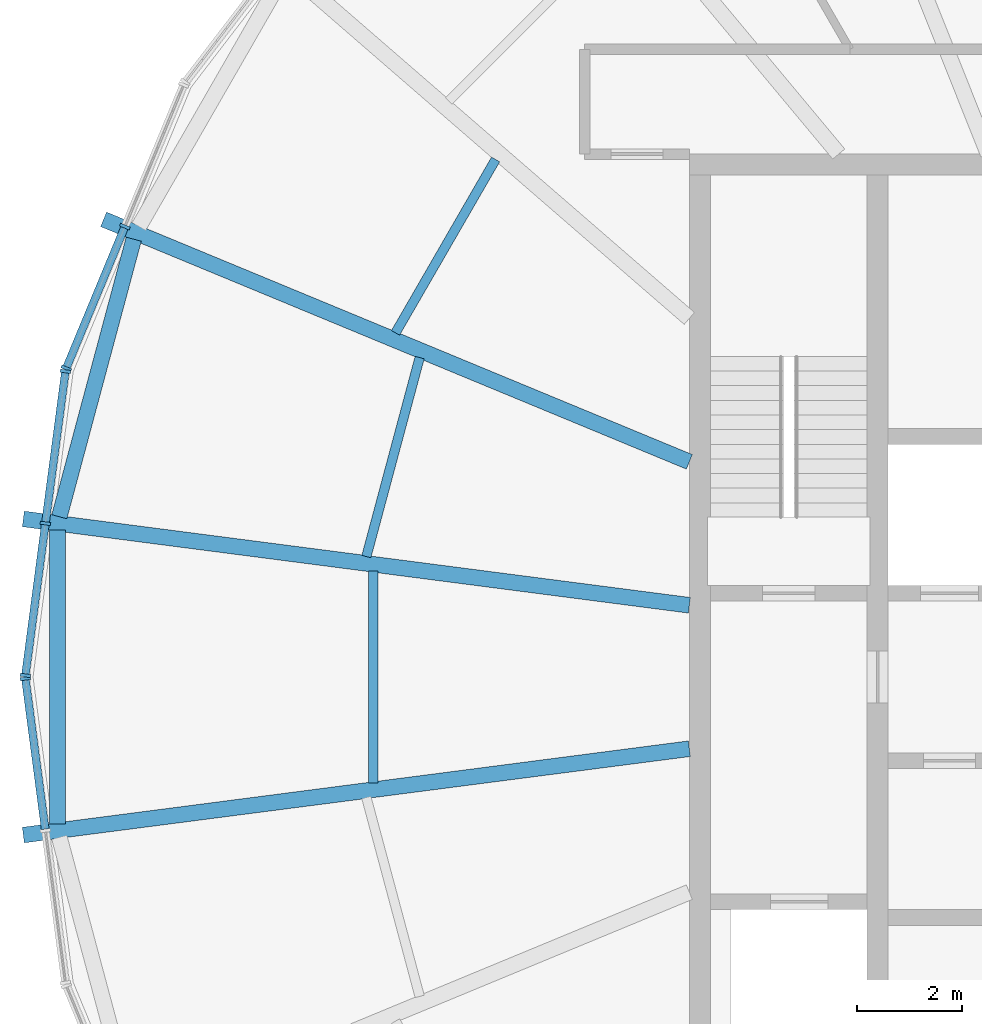
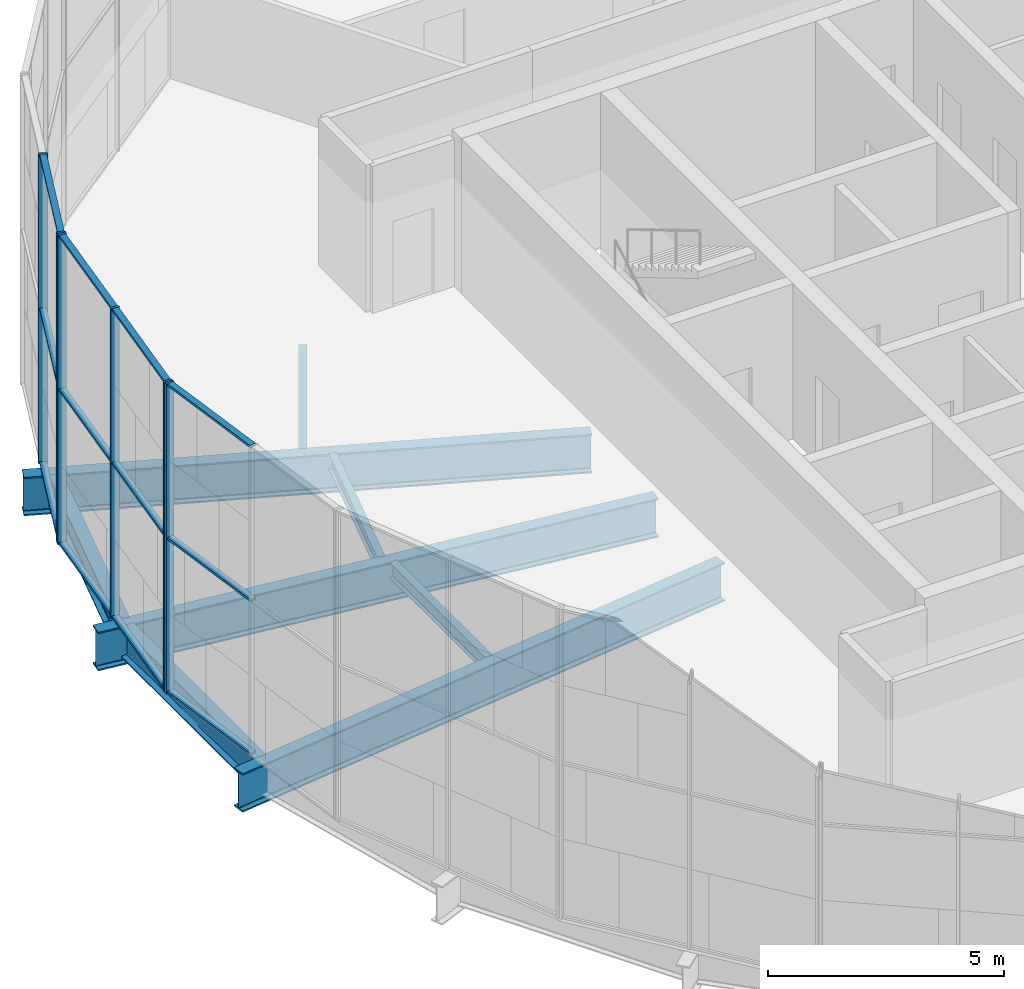
# One storey, part 3 of 19: 18 members, 8 beams, 3 elements without a shape of their own.
"""IFC4 building model written with IfcOpenShell, lengths in metres."""

from ifc_helpers import new_model, si_unit, direction, frame, origin, origin_2d, place, context, subcontext, project, spatial, rectangle, i_section, extrude, material, material_profile, profile_set, type_object, element, aggregate, save


model = new_model("IFC4")

# Units and contexts
model_context = context("Model", 3, precision=1e-05, world=origin(), true_north=direction((0.0, 1.0)))
body_context = subcontext(model_context, "Body", "Model", "MODEL_VIEW")
ifc_project = project(units=[si_unit("LENGTHUNIT", "METRE"), si_unit("AREAUNIT", "SQUARE_METRE"), si_unit("VOLUMEUNIT", "CUBIC_METRE"), si_unit("PLANEANGLEUNIT", "RADIAN"), si_unit("MASSUNIT", "GRAM", prefix="KILO")], contexts=[model_context])

# Site, building, storey
site_placement = place(None, origin())
site = spatial("IfcSite", under=ifc_project, at=site_placement, CompositionType="ELEMENT")
building_placement = place(site_placement, origin())
building = spatial("IfcBuilding", under=site, at=building_placement, Name="Golbaran Civic Tower", CompositionType="ELEMENT")
storey_placement = place(building_placement, frame((0.0, 0.0, 240.0)))
storey = spatial("IfcBuildingStorey", under=building, at=storey_placement, Name="L58", CompositionType="ELEMENT", Elevation=240.0)

# Beams
ifc_material_1 = material(Name="Steel S355", Category="steel")
ifc_material_profile_1 = material_profile(ifc_material_1, i_section(OverallWidth=0.300048828125, OverallDepth=0.800048828125, WebThickness=0.017578125, FlangeThickness=0.032958984375, FilletRadius=0.030029296875, at=origin_2d()), Name="HEB 800")
ifc_profile_set_1 = profile_set([ifc_material_profile_1], Name="Steel S355")
beam_type_1 = type_object("IfcBeamType", Name="EDGE BEAM HEB 800", PredefinedType="BEAM", material=ifc_profile_set_1)
beam_1_placement = place(storey_placement, frame((-20.624755859375, 8.3720703125, -0.60009765625), z_axis=(-0.258893020744, -0.96590600154, 0.0), x_axis=(0.96590600154, -0.258893020744, 0.0)))
element("IfcBeam", 1, at=beam_1_placement, inside=storey, type_object=beam_type_1, Name="Edge beam 157.57 L58", PredefinedType="BEAM", context=body_context, shape_type="SweptSolid", body=[
    extrude(i_section(OverallWidth=0.300048828125, OverallDepth=0.800048828125, WebThickness=0.017578125, FlangeThickness=0.032958984375, FilletRadius=0.030029296875, at=origin_2d()), origin(), (0.0, 0.0, 1.0), 5.494873046875),
])
beam_2_placement = place(storey_placement, frame((-22.081298828125, 2.806640625, -0.60009765625), z_axis=(0.0, -1.0, 0.0), x_axis=(1.0, 0.0, 0.0)))
element("IfcBeam", 2, at=beam_2_placement, inside=storey, type_object=beam_type_1, Name="Edge beam 172.43 L58", PredefinedType="BEAM", context=body_context, shape_type="SweptSolid", body=[
    extrude(i_section(OverallWidth=0.300048828125, OverallDepth=0.800048828125, WebThickness=0.017578125, FlangeThickness=0.032958984375, FilletRadius=0.030029296875, at=origin_2d()), origin(), (0.0, 0.0, 1.0), 5.61328125),
])
ifc_material_profile_2 = material_profile(ifc_material_1, i_section(OverallWidth=0.179931640625, OverallDepth=0.39990234375, WebThickness=0.008544921875, FlangeThickness=0.013427734375, FilletRadius=0.02099609375, at=origin_2d()), Name="IPE 400")
ifc_profile_set_2 = profile_set([ifc_material_profile_2], Name="Steel S355")
beam_type_2 = type_object("IfcBeamType", Name="FLOOR INFILL BEAM IPE 400", PredefinedType="BEAM", material=ifc_profile_set_2)
beam_3_placement = place(storey_placement, frame((-13.704833984375, 9.895751953125, -0.39990234375), z_axis=(-0.500015088172, -0.866016692449, 0.0), x_axis=(0.866016692449, -0.500015088172, 0.0)))
element("IfcBeam", 3, at=beam_3_placement, inside=storey, type_object=beam_type_2, Name="Infill beam 150.00 L58", PredefinedType="BEAM", context=body_context, shape_type="SweptSolid", body=[
    extrude(i_section(OverallWidth=0.179931640625, OverallDepth=0.39990234375, WebThickness=0.008544921875, FlangeThickness=0.013427734375, FilletRadius=0.02099609375, at=origin_2d()), origin(), (0.0, 0.0, 1.0), 3.82763671875),
])
beam_4_placement = place(storey_placement, frame((-15.156494140625, 6.108154296875, -0.39990234375), z_axis=(-0.258819729531, -0.965925642897, 0.0), x_axis=(0.965925642897, -0.258819729531, 0.0)))
element("IfcBeam", 4, at=beam_4_placement, inside=storey, type_object=beam_type_2, Name="Infill beam 165.00 L58", PredefinedType="BEAM", context=body_context, shape_type="SweptSolid", body=[
    extrude(i_section(OverallWidth=0.179931640625, OverallDepth=0.39990234375, WebThickness=0.008544921875, FlangeThickness=0.013427734375, FilletRadius=0.02099609375, at=origin_2d()), origin(), (0.0, 0.0, 1.0), 3.939208984375),
])
beam_5_placement = place(storey_placement, frame((-16.04052734375, 2.0234375, -0.39990234375), z_axis=(0.0, -1.0, 0.0), x_axis=(1.0, 0.0, 0.0)))
element("IfcBeam", 5, at=beam_5_placement, inside=storey, type_object=beam_type_2, Name="Infill beam 180.00 L58", PredefinedType="BEAM", context=body_context, shape_type="SweptSolid", body=[
    extrude(i_section(OverallWidth=0.179931640625, OverallDepth=0.39990234375, WebThickness=0.008544921875, FlangeThickness=0.013427734375, FilletRadius=0.02099609375, at=origin_2d()), origin(), (0.0, 0.0, 1.0), 4.046875),
])

# Curtain wall, members
ifc_material_2 = material(Name="Aluminium and glass", Category="aluminium")
curtain_wall_type = type_object("IfcCurtainWallType", Name="INNER SKIN CURTAIN WALL EXECUTIVE", PredefinedType="NOTDEFINED", material=ifc_material_2)
curtain_wall_1_placement = place(storey_placement, origin())
curtain_wall_1 = element("IfcCurtainWall", 6, at=curtain_wall_1_placement, inside=storey, type_object=curtain_wall_type, Name="Inner skin L58 facet 11 CW2", ObjectType="INNER SKIN", PredefinedType="USERDEFINED")
ifc_material_3 = material(Name="Aluminium", Category="aluminium")
ifc_material_profile_3 = material_profile(ifc_material_3, rectangle(XDim=0.199951171875, YDim=0.06005859375, at=origin_2d()), Name="INNER SKIN CURTAIN WALL EXECUTIVE MULLION")
ifc_profile_set_3 = profile_set([ifc_material_profile_3], Name="Aluminium")
member_type_1 = type_object("IfcMemberType", Name="INNER SKIN CURTAIN WALL EXECUTIVE MULLION", PredefinedType="MULLION", material=ifc_profile_set_3)
member_1_placement = place(storey_placement, frame((-20.792724609375, 8.612548828125, 0.0), z_axis=(0.0, 0.0, 1.0), x_axis=(0.923879532498, -0.382683432397, 0.0)))
member_1 = element("IfcMember", 7, at=member_1_placement, type_object=member_type_1, Name="CW2 mullion 2", PredefinedType="MULLION", context=body_context, shape_type="SweptSolid", body=[
    extrude(rectangle(XDim=0.199951171875, YDim=0.06005859375, at=origin_2d()), origin(), (0.0, 0.0, 1.0), 8.0),
])
member_2_placement = place(storey_placement, frame((-21.9150390625, 5.90283203125, 0.0), z_axis=(0.0, 0.0, 1.0), x_axis=(0.923879532498, -0.382683432397, 0.0)))
member_2 = element("IfcMember", 8, at=member_2_placement, type_object=member_type_1, Name="CW2 mullion 3", PredefinedType="MULLION", context=body_context, shape_type="SweptSolid", body=[
    extrude(rectangle(XDim=0.199951171875, YDim=0.06005859375, at=origin_2d()), origin(), (0.0, 0.0, 1.0), 8.0),
])

curtain_wall_2_placement = place(storey_placement, origin())
curtain_wall_2 = element("IfcCurtainWall", 9, at=curtain_wall_2_placement, inside=storey, type_object=curtain_wall_type, Name="Inner skin L58 facet 12 CW2", ObjectType="INNER SKIN", PredefinedType="USERDEFINED")
member_3_placement = place(storey_placement, frame((-21.930419921875, 5.845458984375, 0.0), z_axis=(0.0, 0.0, 1.0), x_axis=(0.991444861381, -0.130526192168, 0.0)))
member_3 = element("IfcMember", 10, at=member_3_placement, type_object=member_type_1, Name="CW2 mullion 1", PredefinedType="MULLION", context=body_context, shape_type="SweptSolid", body=[
    extrude(rectangle(XDim=0.199951171875, YDim=0.06005859375, at=origin_2d()), origin(), (0.0, 0.0, 1.0), 8.0),
])
member_4_placement = place(storey_placement, frame((-22.313232421875, 2.9375, 0.0), z_axis=(0.0, 0.0, 1.0), x_axis=(0.991444861381, -0.130526192168, 0.0)))
member_4 = element("IfcMember", 11, at=member_4_placement, type_object=member_type_1, Name="CW2 mullion 2", PredefinedType="MULLION", context=body_context, shape_type="SweptSolid", body=[
    extrude(rectangle(XDim=0.199951171875, YDim=0.06005859375, at=origin_2d()), origin(), (0.0, 0.0, 1.0), 8.0),
])
member_5_placement = place(storey_placement, frame((-22.696044921875, 0.02978515625, 0.0), z_axis=(0.0, 0.0, 1.0), x_axis=(0.991444861381, -0.130526192168, 0.0)))
member_5 = element("IfcMember", 12, at=member_5_placement, type_object=member_type_1, Name="CW2 mullion 3", PredefinedType="MULLION", context=body_context, shape_type="SweptSolid", body=[
    extrude(rectangle(XDim=0.199951171875, YDim=0.06005859375, at=origin_2d()), origin(), (0.0, 0.0, 1.0), 8.0),
])

# Curtain wall, member
curtain_wall_3_placement = place(storey_placement, origin())
curtain_wall_3 = element("IfcCurtainWall", 13, at=curtain_wall_3_placement, inside=storey, type_object=curtain_wall_type, Name="Inner skin L58 facet 13 CW2", ObjectType="INNER SKIN", PredefinedType="USERDEFINED")
member_6_placement = place(storey_placement, frame((-22.696044921875, -0.02978515625, 0.0), z_axis=(0.0, 0.0, 1.0), x_axis=(0.991444861381, 0.130526192168, 0.0)))
member_6 = element("IfcMember", 14, at=member_6_placement, type_object=member_type_1, Name="CW2 mullion 1", PredefinedType="MULLION", context=body_context, shape_type="SweptSolid", body=[
    extrude(rectangle(XDim=0.199951171875, YDim=0.06005859375, at=origin_2d()), origin(), (0.0, 0.0, 1.0), 8.0),
])

# Member
ifc_material_profile_4 = material_profile(ifc_material_3, rectangle(XDim=0.14990234375, YDim=0.06005859375, at=origin_2d()), Name="INNER SKIN CURTAIN WALL EXECUTIVE TRANSOM")
ifc_profile_set_4 = profile_set([ifc_material_profile_4], Name="Aluminium")
member_type_2 = type_object("IfcMemberType", Name="INNER SKIN CURTAIN WALL EXECUTIVE TRANSOM", PredefinedType="USERDEFINED", material=ifc_profile_set_4)
member_7_placement = place(storey_placement, frame((-20.80419921875, 8.5849609375, 0.030029296875), z_axis=(-0.382659506909, -0.923889442397, 0.0), x_axis=(0.923889442397, -0.382659506909, 0.0)))
member_7 = element("IfcMember", 15, at=member_7_placement, type_object=member_type_2, Name="CW2 transom 2.1", ObjectType="TRANSOM", PredefinedType="USERDEFINED", context=body_context, shape_type="SweptSolid", body=[
    extrude(rectangle(XDim=0.14990234375, YDim=0.06005859375, at=origin_2d()), origin(), (0.0, 0.0, 1.0), 2.873046875),
])

member_8_placement = place(storey_placement, frame((-20.80419921875, 8.5849609375, 4.0), z_axis=(-0.382659506909, -0.923889442397, 0.0), x_axis=(0.923889442397, -0.382659506909, 0.0)))
member_8 = element("IfcMember", 16, at=member_8_placement, type_object=member_type_2, Name="CW2 transom 2.2", ObjectType="TRANSOM", PredefinedType="USERDEFINED", context=body_context, shape_type="SweptSolid", body=[
    extrude(rectangle(XDim=0.14990234375, YDim=0.06005859375, at=origin_2d()), origin(), (0.0, 0.0, 1.0), 2.873046875),
])

member_9_placement = place(storey_placement, frame((-20.80419921875, 8.5849609375, 7.969970703125), z_axis=(-0.382659506909, -0.923889442397, 0.0), x_axis=(0.923889442397, -0.382659506909, 0.0)))
member_9 = element("IfcMember", 17, at=member_9_placement, type_object=member_type_2, Name="CW2 transom 2.3", ObjectType="TRANSOM", PredefinedType="USERDEFINED", context=body_context, shape_type="SweptSolid", body=[
    extrude(rectangle(XDim=0.14990234375, YDim=0.06005859375, at=origin_2d()), origin(), (0.0, 0.0, 1.0), 2.873046875),
])

aggregate(curtain_wall_1, [member_1, member_2, member_7, member_8, member_9])

member_10_placement = place(storey_placement, frame((-21.934326171875, 5.815673828125, 0.030029296875), z_axis=(-0.130527053476, -0.991444747987, 0.0), x_axis=(0.991444747987, -0.130527053476, 0.0)))
member_10 = element("IfcMember", 18, at=member_10_placement, type_object=member_type_2, Name="CW2 transom 1.1", ObjectType="TRANSOM", PredefinedType="USERDEFINED", context=body_context, shape_type="SweptSolid", body=[
    extrude(rectangle(XDim=0.14990234375, YDim=0.06005859375, at=origin_2d()), origin(), (0.0, 0.0, 1.0), 2.873046875),
])

member_11_placement = place(storey_placement, frame((-21.934326171875, 5.815673828125, 4.0), z_axis=(-0.130527053476, -0.991444747987, 0.0), x_axis=(0.991444747987, -0.130527053476, 0.0)))
member_11 = element("IfcMember", 19, at=member_11_placement, type_object=member_type_2, Name="CW2 transom 1.2", ObjectType="TRANSOM", PredefinedType="USERDEFINED", context=body_context, shape_type="SweptSolid", body=[
    extrude(rectangle(XDim=0.14990234375, YDim=0.06005859375, at=origin_2d()), origin(), (0.0, 0.0, 1.0), 2.873046875),
])

member_12_placement = place(storey_placement, frame((-21.934326171875, 5.815673828125, 7.969970703125), z_axis=(-0.130527053476, -0.991444747987, 0.0), x_axis=(0.991444747987, -0.130527053476, 0.0)))
member_12 = element("IfcMember", 20, at=member_12_placement, type_object=member_type_2, Name="CW2 transom 1.3", ObjectType="TRANSOM", PredefinedType="USERDEFINED", context=body_context, shape_type="SweptSolid", body=[
    extrude(rectangle(XDim=0.14990234375, YDim=0.06005859375, at=origin_2d()), origin(), (0.0, 0.0, 1.0), 2.873046875),
])

member_13_placement = place(storey_placement, frame((-22.317138671875, 2.907958984375, 0.030029296875), z_axis=(-0.130527053476, -0.991444747987, 0.0), x_axis=(0.991444747987, -0.130527053476, 0.0)))
member_13 = element("IfcMember", 21, at=member_13_placement, type_object=member_type_2, Name="CW2 transom 2.1", ObjectType="TRANSOM", PredefinedType="USERDEFINED", context=body_context, shape_type="SweptSolid", body=[
    extrude(rectangle(XDim=0.14990234375, YDim=0.06005859375, at=origin_2d()), origin(), (0.0, 0.0, 1.0), 2.873046875),
])

member_14_placement = place(storey_placement, frame((-22.317138671875, 2.907958984375, 4.0), z_axis=(-0.130527053476, -0.991444747987, 0.0), x_axis=(0.991444747987, -0.130527053476, 0.0)))
member_14 = element("IfcMember", 22, at=member_14_placement, type_object=member_type_2, Name="CW2 transom 2.2", ObjectType="TRANSOM", PredefinedType="USERDEFINED", context=body_context, shape_type="SweptSolid", body=[
    extrude(rectangle(XDim=0.14990234375, YDim=0.06005859375, at=origin_2d()), origin(), (0.0, 0.0, 1.0), 2.873046875),
])

member_15_placement = place(storey_placement, frame((-22.317138671875, 2.907958984375, 7.969970703125), z_axis=(-0.130527053476, -0.991444747987, 0.0), x_axis=(0.991444747987, -0.130527053476, 0.0)))
member_15 = element("IfcMember", 23, at=member_15_placement, type_object=member_type_2, Name="CW2 transom 2.3", ObjectType="TRANSOM", PredefinedType="USERDEFINED", context=body_context, shape_type="SweptSolid", body=[
    extrude(rectangle(XDim=0.14990234375, YDim=0.06005859375, at=origin_2d()), origin(), (0.0, 0.0, 1.0), 2.873046875),
])

aggregate(curtain_wall_2, [member_3, member_4, member_5, member_10, member_11, member_12, member_13, member_14, member_15])

member_16_placement = place(storey_placement, frame((-22.692138671875, -0.0595703125, 0.030029296875), z_axis=(0.130527053476, -0.991444747987, 0.0), x_axis=(0.991444747987, 0.130527053476, 0.0)))
member_16 = element("IfcMember", 24, at=member_16_placement, type_object=member_type_2, Name="CW2 transom 1.1", ObjectType="TRANSOM", PredefinedType="USERDEFINED", context=body_context, shape_type="SweptSolid", body=[
    extrude(rectangle(XDim=0.14990234375, YDim=0.06005859375, at=origin_2d()), origin(), (0.0, 0.0, 1.0), 2.873046875),
])

member_17_placement = place(storey_placement, frame((-22.692138671875, -0.0595703125, 4.0), z_axis=(0.130527053476, -0.991444747987, 0.0), x_axis=(0.991444747987, 0.130527053476, 0.0)))
member_17 = element("IfcMember", 25, at=member_17_placement, type_object=member_type_2, Name="CW2 transom 1.2", ObjectType="TRANSOM", PredefinedType="USERDEFINED", context=body_context, shape_type="SweptSolid", body=[
    extrude(rectangle(XDim=0.14990234375, YDim=0.06005859375, at=origin_2d()), origin(), (0.0, 0.0, 1.0), 2.873046875),
])

member_18_placement = place(storey_placement, frame((-22.692138671875, -0.0595703125, 7.969970703125), z_axis=(0.130527053476, -0.991444747987, 0.0), x_axis=(0.991444747987, 0.130527053476, 0.0)))
member_18 = element("IfcMember", 26, at=member_18_placement, type_object=member_type_2, Name="CW2 transom 1.3", ObjectType="TRANSOM", PredefinedType="USERDEFINED", context=body_context, shape_type="SweptSolid", body=[
    extrude(rectangle(XDim=0.14990234375, YDim=0.06005859375, at=origin_2d()), origin(), (0.0, 0.0, 1.0), 2.873046875),
])

aggregate(curtain_wall_3, [member_6, member_16, member_17, member_18])

# Beams
ifc_material_profile_5 = material_profile(ifc_material_1, i_section(OverallWidth=0.300048828125, OverallDepth=1.0, WebThickness=0.01904296875, FlangeThickness=0.035888671875, FilletRadius=0.030029296875, at=origin_2d()), Name="HEB 1000")
ifc_profile_set_5 = profile_set([ifc_material_profile_5], Name="Steel S355")
beam_type_3 = type_object("IfcBeamType", Name="RADIAL FLOOR BEAM HEB 1000", PredefinedType="BEAM", material=ifc_profile_set_5)
beam_6_placement = place(storey_placement, frame((-10.0, 4.1142578125, -0.7099609375), z_axis=(-0.92394983579, 0.382513661119, 0.0), x_axis=(-0.382513661119, -0.92394983579, 0.0)))
element("IfcBeam", 27, at=beam_6_placement, inside=storey, type_object=beam_type_3, Name="Radial beam 157.57 L58", PredefinedType="BEAM", context=body_context, shape_type="SweptSolid", body=[
    extrude(i_section(OverallWidth=0.300048828125, OverallDepth=1.0, WebThickness=0.01904296875, FlangeThickness=0.035888671875, FilletRadius=0.030029296875, at=origin_2d()), origin(), (0.0, 0.0, 1.0), 12.122314453125),
])
for number, where, z_axis, x_axis, name in (
    (28, (-10.0, 1.371337890625, -0.7099609375), (-0.991697972949, 0.12858899816, 0.0), (-0.12858899816, -0.991697972949, 0.0), "Radial beam 172.43 L58"),
    (29, (-10.0, -1.371337890625, -0.7099609375), (-0.991697972949, -0.12858899816, 0.0), (0.12858899816, -0.991697972949, 0.0), "Radial beam 187.57 L58"),
):
    element("IfcBeam", number, at=place(storey_placement, frame(where, z_axis=z_axis, x_axis=x_axis)), inside=storey, type_object=beam_type_3, Name=name, PredefinedType="BEAM", context=body_context, shape_type="SweptSolid", body=[
        extrude(i_section(OverallWidth=0.300048828125, OverallDepth=1.0, WebThickness=0.01904296875, FlangeThickness=0.035888671875, FilletRadius=0.030029296875, at=origin_2d()), origin(), (0.0, 0.0, 1.0), 12.84228515625),
    ])

save(model, "model.ifc")
